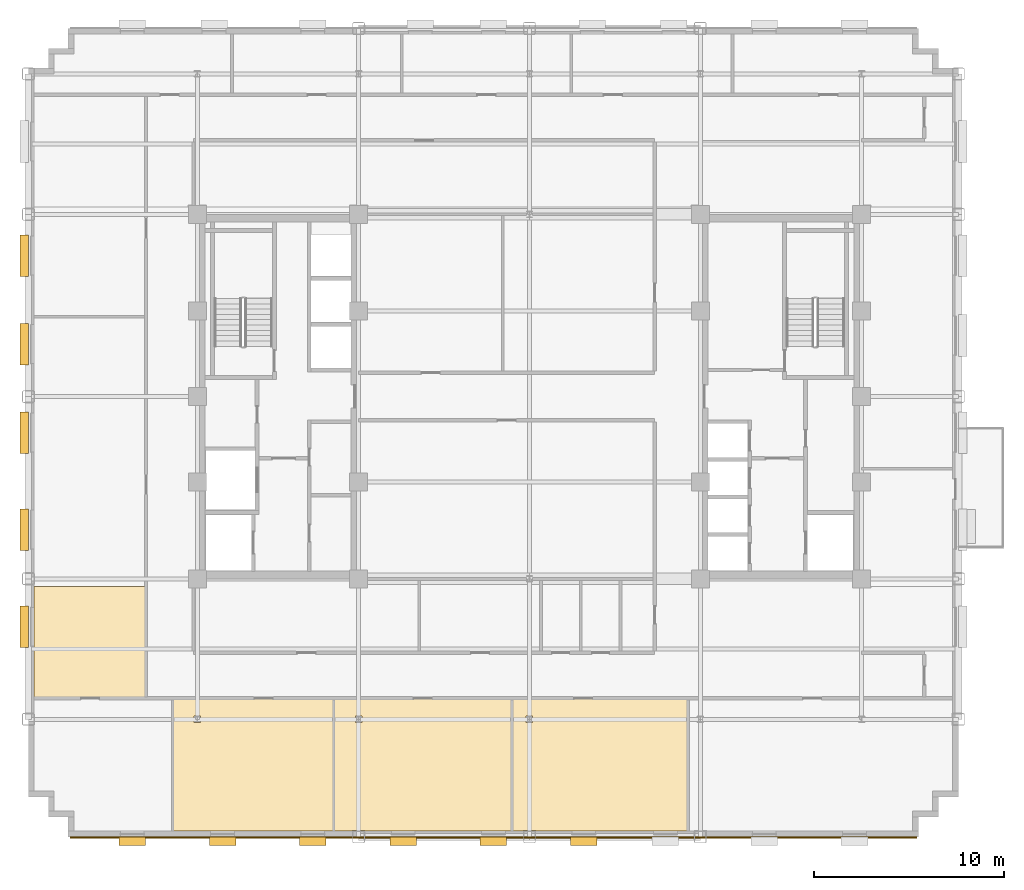
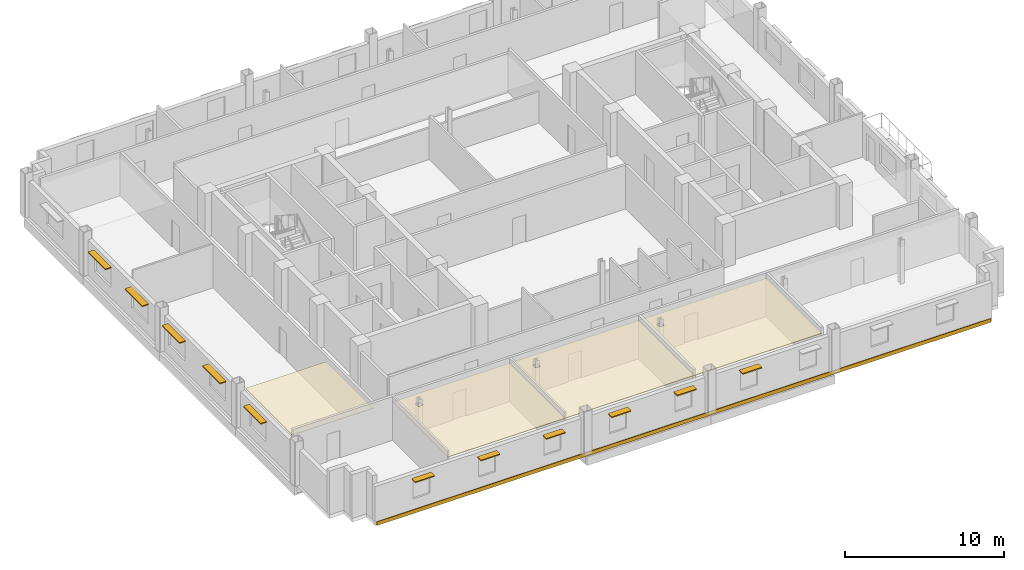
# One storey, part 11 of 14: 11 shading devices, 5 coverings.
"""IFC4 building model written with IfcOpenShell, lengths in metres."""

from ifc_helpers import new_model, si_unit, direction, frame, origin, origin_2d, place, context, subcontext, project, spatial, polyline, rectangle, outline, extrude, source, transform, mapped, material, layer, layer_set, type_object, type_shapes, element, save


model = new_model("IFC4")

# Units and contexts
model_context = context("Model", 3, precision=1e-05, world=origin(), true_north=direction((0.0, 1.0)))
body_context = subcontext(model_context, "Body", "Model", "MODEL_VIEW")
ifc_project = project(units=[si_unit("LENGTHUNIT", "METRE"), si_unit("AREAUNIT", "SQUARE_METRE"), si_unit("VOLUMEUNIT", "CUBIC_METRE"), si_unit("PLANEANGLEUNIT", "RADIAN"), si_unit("MASSUNIT", "GRAM", prefix="KILO")], contexts=[model_context])

# Site, building, storey
site_placement = place(None, origin())
site = spatial("IfcSite", under=ifc_project, at=site_placement, CompositionType="ELEMENT")
building_placement = place(site_placement, origin())
building = spatial("IfcBuilding", under=site, at=building_placement, Name="Nuvemarco Arch Tower", CompositionType="ELEMENT")
storey_placement = place(building_placement, frame((0.0, 0.0, 178.60009765625)))
storey = spatial("IfcBuildingStorey", under=building, at=storey_placement, Name="L47", CompositionType="ELEMENT", Elevation=178.60009765625)

# Coverings
ifc_material_1 = material(Name="Mineral acoustic ceiling tile")
ifc_layer_1 = layer(ifc_material_1, 0.0400390625, Name="COV-ACOUSTIC-CLG")
ifc_layer_set_1 = layer_set([ifc_layer_1], Name="Mineral acoustic ceiling tile")
covering_type_1 = type_object("IfcCoveringType", Name="COV-ACOUSTIC-CLG", PredefinedType="CEILING", material=ifc_layer_set_1)
covering_1_placement = place(storey_placement, frame((0.0, 0.0, 2.849853515625)))
element("IfcCovering", 1, at=covering_1_placement, inside=storey, type_object=covering_type_1, Name="L47 suspended acoustic ceiling 1", PredefinedType="CEILING", context=body_context, shape_type="SweptSolid", body=[
    extrude(outline(polyline([(-20.199951171875, -13.5), (-20.199951171875, -15.89990234375), (-26.090087890625, -15.89990234375), (-26.090087890625, -10.0), (-20.199951171875, -10.0), (-20.199951171875, -13.5)])), origin(), (0.0, 0.0, 1.0), 0.0400390625),
])
covering_2_placement = place(storey_placement, frame((0.0, 0.0, 2.849853515625)))
element("IfcCovering", 2, at=covering_2_placement, inside=storey, type_object=covering_type_1, Name="L47 suspended acoustic ceiling 6", PredefinedType="CEILING", context=body_context, shape_type="SweptSolid", body=[
    extrude(outline(polyline([(-8.659912109375, -22.889892578125), (-8.659912109375, -22.860107421875), (-9.340087890625, -22.860107421875), (-9.340087890625, -22.889892578125), (-10.31005859375, -22.889892578125), (-10.31005859375, -15.89990234375), (-0.919921875, -15.89990234375), (-0.919921875, -22.889892578125), (-8.659912109375, -22.889892578125)]), holes=[polyline([(-8.830078125, -17.169921875), (-8.830078125, -16.830078125), (-9.169921875, -16.830078125), (-9.169921875, -17.169921875), (-8.830078125, -17.169921875)])]), origin(), (0.0, 0.0, 1.0), 0.0400390625),
])
covering_3_placement = place(storey_placement, frame((0.0, 0.0, 2.849853515625)))
element("IfcCovering", 3, at=covering_3_placement, inside=storey, type_object=covering_type_1, Name="L47 suspended acoustic ceiling 7", PredefinedType="CEILING", context=body_context, shape_type="SweptSolid", body=[
    extrude(outline(polyline([(8.35009765625, -22.889892578125), (0.340087890625, -22.889892578125), (0.340087890625, -22.860107421875), (-0.340087890625, -22.860107421875), (-0.340087890625, -22.889892578125), (-0.919921875, -22.889892578125), (-0.919921875, -15.89990234375), (6.60009765625, -15.89990234375), (8.35009765625, -15.89990234375), (8.35009765625, -22.889892578125)]), holes=[polyline([(0.169921875, -17.169921875), (0.169921875, -16.830078125), (-0.169921875, -16.830078125), (-0.169921875, -17.169921875), (0.169921875, -17.169921875)])]), origin(), (0.0, 0.0, 1.0), 0.0400390625),
])
covering_4_placement = place(storey_placement, frame((0.0, 0.0, 2.849853515625)))
element("IfcCovering", 4, at=covering_4_placement, inside=storey, type_object=covering_type_1, Name="L47 suspended acoustic ceiling 8", PredefinedType="CEILING", context=body_context, shape_type="SweptSolid", body=[
    extrude(outline(polyline([(-10.31005859375, -22.889892578125), (-18.800048828125, -22.889892578125), (-18.800048828125, -15.89990234375), (-17.699951171875, -15.89990234375), (-10.31005859375, -15.89990234375), (-10.31005859375, -22.889892578125)]), holes=[polyline([(-17.330078125, -16.830078125), (-17.669921875, -16.830078125), (-17.669921875, -17.169921875), (-17.330078125, -17.169921875), (-17.330078125, -16.830078125)])]), origin(), (0.0, 0.0, 1.0), 0.0400390625),
])

# Shading devices
ifc_material_2 = material(Name="Anodised aluminium 6063-T6", Category="aluminium")
shading_device_type_1 = type_object("IfcShadingDeviceType", Name="SHD-BRISE-SOLEIL", PredefinedType="USERDEFINED", material=ifc_material_2)
shared_shape_1 = source(origin(), body_context, "Body", "SweptSolid", [
    extrude(rectangle(XDim=2.199951171875, YDim=0.449951171875, at=origin_2d()), origin(), (0.0, 0.0, 1.0), 0.080078125),
])
type_shapes(shading_device_type_1, [shared_shape_1])
for number, where, z_axis, x_axis, name in (
    (5, (-26.614990234375, -12.125, 2.324951171875), (0.0, 0.0, 1.0), (0.0, 1.0, 0.0), "L47 horizontal brise-soleil sunshade"),
    (6, (-26.614990234375, -7.0126953125, 2.324951171875), (0.0, 0.0, 1.0), (0.0, 1.0, 0.0), "L47 horizontal brise-soleil sunshade"),
    (7, (-26.614990234375, -1.89990234375, 2.324951171875), (0.0, 0.0, 1.0), (0.0, 1.0, 0.0), "L47 horizontal brise-soleil sunshade"),
    (8, (-26.614990234375, 2.7626953125, 2.324951171875), (0.0, 0.0, 1.0), (0.0, 1.0, 0.0), "L47 horizontal brise-soleil sunshade"),
    (9, (-26.614990234375, 7.425048828125, 2.324951171875), (0.0, 0.0, 1.0), (0.0, 1.0, 0.0), "L47 horizontal brise-soleil sunshade"),
):
    element("IfcShadingDevice", number, at=place(storey_placement, frame(where, z_axis=z_axis, x_axis=x_axis)), inside=storey, type_object=shading_device_type_1, Name=name, ObjectType="SUNSHADE", PredefinedType="USERDEFINED", context=body_context, shape_type="MappedRepresentation", body=[
        mapped(shared_shape_1, transform((0.0, 0.0, 0.0), scale=1.0)),
    ])
shading_device_type_2 = type_object("IfcShadingDeviceType", Name="SHD-BRISE-NARROW", PredefinedType="USERDEFINED", material=ifc_material_2)
shared_shape_2 = source(origin(), body_context, "Body", "SweptSolid", [
    extrude(rectangle(XDim=1.39990234375, YDim=0.449951171875, at=origin_2d()), origin(), (0.0, 0.0, 1.0), 0.080078125),
])
type_shapes(shading_device_type_2, [shared_shape_2])
for number, where, z_axis, x_axis, name in (
    (10, (-20.922119140625, -23.4150390625, 2.324951171875), (0.0, 0.0, 1.0), (1.0, 0.0, 0.0), "L47 horizontal brise-soleil sunshade"),
    (11, (-16.166748046875, -23.4150390625, 2.324951171875), (0.0, 0.0, 1.0), (1.0, 0.0, 0.0), "L47 horizontal brise-soleil sunshade"),
    (12, (-11.4111328125, -23.4150390625, 2.324951171875), (0.0, 0.0, 1.0), (1.0, 0.0, 0.0), "L47 horizontal brise-soleil sunshade"),
    (13, (-6.655517578125, -23.4150390625, 2.324951171875), (0.0, 0.0, 1.0), (1.0, 0.0, 0.0), "L47 horizontal brise-soleil sunshade"),
    (14, (-1.89990234375, -23.4150390625, 2.324951171875), (0.0, 0.0, 1.0), (1.0, 0.0, 0.0), "L47 horizontal brise-soleil sunshade"),
    (15, (2.855712890625, -23.4150390625, 2.324951171875), (0.0, 0.0, 1.0), (1.0, 0.0, 0.0), "L47 horizontal brise-soleil sunshade"),
):
    element("IfcShadingDevice", number, at=place(storey_placement, frame(where, z_axis=z_axis, x_axis=x_axis)), inside=storey, type_object=shading_device_type_2, Name=name, ObjectType="SUNSHADE", PredefinedType="USERDEFINED", context=body_context, shape_type="MappedRepresentation", body=[
        mapped(shared_shape_2, transform((0.0, 0.0, 0.0), scale=1.0)),
    ])

# Covering
ifc_material_3 = material(Name="Precast concrete C45/55", Category="concrete")
ifc_layer_2 = layer(ifc_material_3, 0.06005859375, Name="COV-SPANDREL-CLAD")
ifc_layer_set_2 = layer_set([ifc_layer_2], Name="Precast concrete C45/55")
covering_type_2 = type_object("IfcCoveringType", Name="COV-SPANDREL-CLAD", PredefinedType="CLADDING", material=ifc_layer_set_2)
shared_shape_3 = source(origin(), body_context, "Body", "SweptSolid", [
    extrude(rectangle(XDim=44.60009765625, YDim=0.06005859375, at=origin_2d()), origin(), (0.0, 0.0, 1.0), 0.280029296875),
])
type_shapes(covering_type_2, [shared_shape_3])
covering_5_placement = place(storey_placement, frame((-1.89990234375, -23.22900390625, -0.2802734375), z_axis=(0.0, 0.0, 1.0), x_axis=(1.0, 0.0, 0.0)))
element("IfcCovering", 16, at=covering_5_placement, inside=storey, type_object=covering_type_2, Name="L47 precast spandrel edge cladding south", PredefinedType="CLADDING", context=body_context, shape_type="MappedRepresentation", body=[
    mapped(shared_shape_3, transform((0.0, 0.0, 0.0), scale=1.0)),
])

save(model, "model.ifc")
